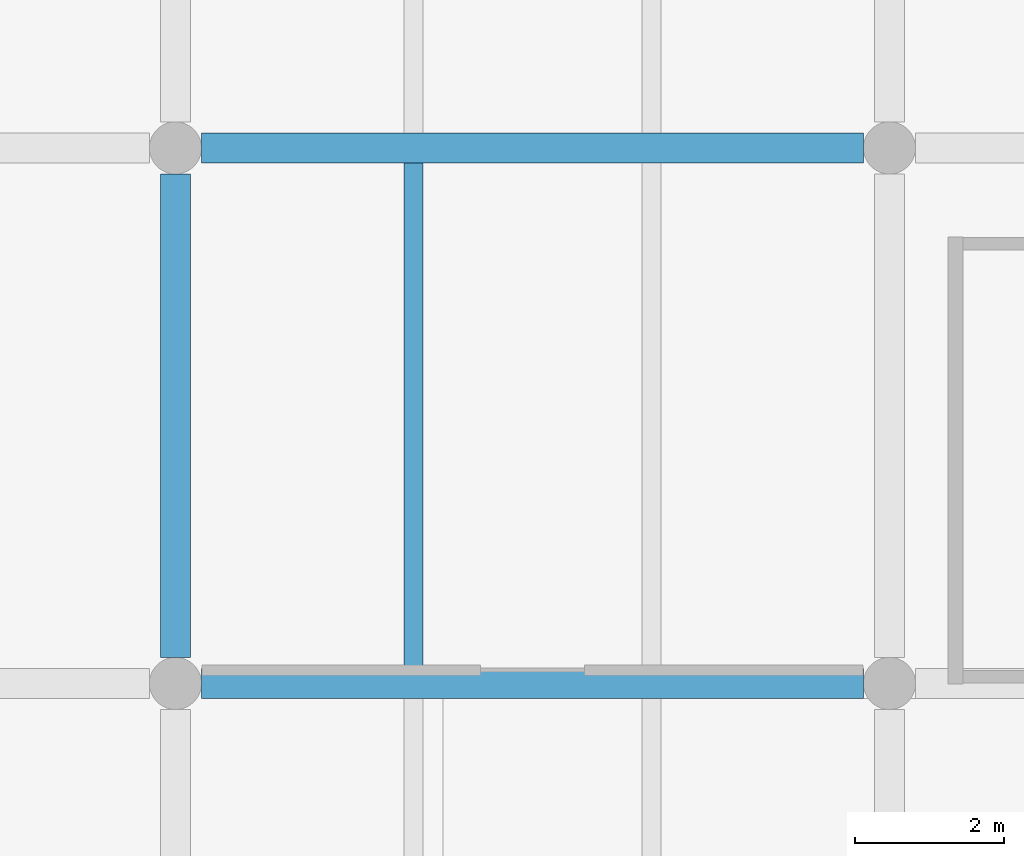
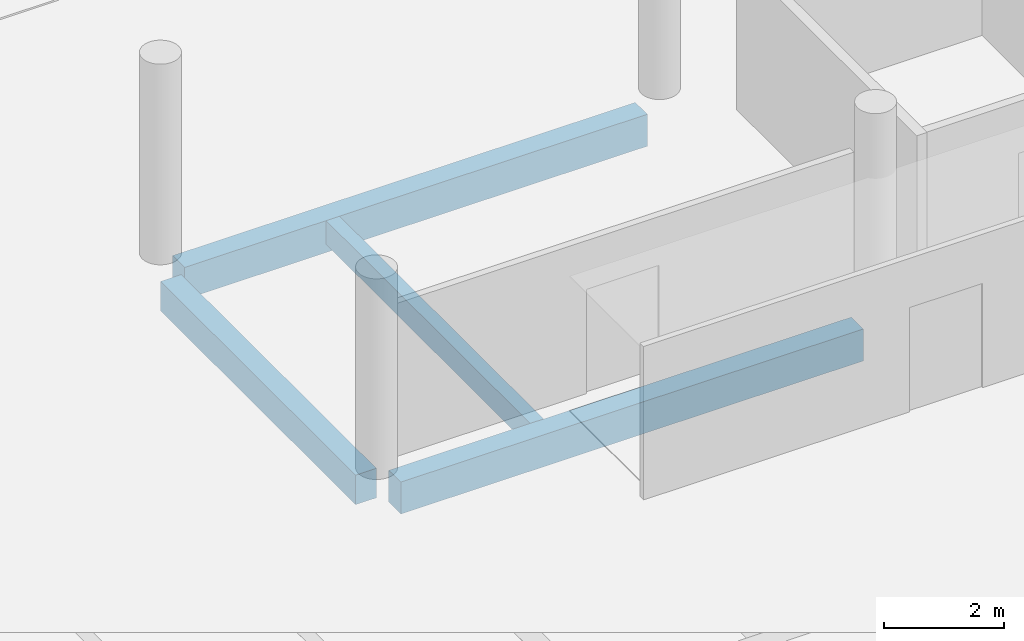
# One storey, part 40 of 180: 4 beams.
"""IFC4 building model written with IfcOpenShell, lengths in metres."""

from ifc_helpers import new_model, si_unit, direction, frame, origin, origin_2d, place, context, subcontext, project, spatial, rectangle, extrude, material, material_profile, profile_set, type_object, element, save


model = new_model("IFC4")

# Units and contexts
model_context = context("Model", 3, precision=1e-05, world=origin(), true_north=direction((0.0, 1.0)))
body_context = subcontext(model_context, "Body", "Model", "MODEL_VIEW")
ifc_project = project(units=[si_unit("LENGTHUNIT", "METRE"), si_unit("AREAUNIT", "SQUARE_METRE"), si_unit("VOLUMEUNIT", "CUBIC_METRE"), si_unit("PLANEANGLEUNIT", "RADIAN"), si_unit("MASSUNIT", "GRAM", prefix="KILO")], contexts=[model_context])

# Site, building, storey
site_placement = place(None, origin())
site = spatial("IfcSite", under=ifc_project, at=site_placement, CompositionType="ELEMENT")
building_placement = place(site_placement, origin())
building = spatial("IfcBuilding", under=site, at=building_placement, Name="Asteropetra Specialist Clinic", CompositionType="ELEMENT")
storey_placement = place(building_placement, frame((0.0, 0.0, 4.419921875)))
storey = spatial("IfcBuildingStorey", under=building, at=storey_placement, Name="L01", CompositionType="ELEMENT", Elevation=4.419921875)

# Beams
ifc_material_1 = material(Name="Concrete C35/45", Category="concrete")
ifc_material_profile_1 = material_profile(ifc_material_1, rectangle(XDim=0.39990234375, YDim=0.60009765625, at=origin_2d()), Name="RCB 400x600")
ifc_profile_set_1 = profile_set([ifc_material_profile_1], Name="Concrete C35/45")
beam_type_1 = type_object("IfcBeamType", Name="BM-RC400x600", PredefinedType="BEAM", material=ifc_profile_set_1)
beam_1_placement = place(storey_placement, frame((9.60009765625, 48.35009765625, -0.599853515625), z_axis=(0.0, 1.0, 0.0), x_axis=(-1.0, 0.0, 0.0)))
element("IfcBeam", 1, at=beam_1_placement, inside=storey, type_object=beam_type_1, Name="Beam BBM08-0365", PredefinedType="BEAM", context=body_context, shape_type="SweptSolid", body=[
    extrude(rectangle(XDim=0.39990234375, YDim=0.60009765625, at=origin_2d()), origin(), (0.0, 0.0, 1.0), 6.5),
])
ifc_material_2 = material(Name="Concrete C35/45", Category="concrete")
ifc_material_profile_2 = material_profile(ifc_material_2, rectangle(XDim=0.39990234375, YDim=0.64990234375, at=origin_2d()), Name="RCB 400x650")
ifc_profile_set_2 = profile_set([ifc_material_profile_2], Name="Concrete C35/45")
beam_type_2 = type_object("IfcBeamType", Name="BM-RC400x650", PredefinedType="BEAM", material=ifc_profile_set_2)
for number, where, z_axis, x_axis, name in (
    (2, (9.949951171875, 48.0, -0.625), (1.0, 0.0, 0.0), (0.0, 1.0, 0.0), "Beam BBM07-0320"),
    (3, (9.949951171875, 55.199951171875, -0.625), (1.0, 0.0, 0.0), (0.0, 1.0, 0.0), "Beam BBM07-0325"),
):
    element("IfcBeam", number, at=place(storey_placement, frame(where, z_axis=z_axis, x_axis=x_axis)), inside=storey, type_object=beam_type_2, Name=name, PredefinedType="BEAM", context=body_context, shape_type="SweptSolid", body=[
        extrude(rectangle(XDim=0.39990234375, YDim=0.64990234375, at=origin_2d()), origin(), (0.0, 0.0, 1.0), 8.900146484375),
    ])
ifc_material_3 = material(Name="Concrete C35/45", Category="concrete")
ifc_material_profile_3 = material_profile(ifc_material_3, rectangle(XDim=0.260009765625, YDim=0.47998046875, at=origin_2d()), Name="RCJ 260x480")
ifc_profile_set_3 = profile_set([ifc_material_profile_3], Name="Concrete C35/45")
beam_type_3 = type_object("IfcBeamType", Name="JST-RC260x480", PredefinedType="JOIST", material=ifc_profile_set_3)
beam_2_placement = place(storey_placement, frame((12.800048828125, 48.199951171875, -0.5400390625), z_axis=(0.0, 1.0, 0.0), x_axis=(-1.0, 0.0, 0.0)))
element("IfcBeam", 4, at=beam_2_placement, inside=storey, type_object=beam_type_3, Name="Joist JJST02-0372", PredefinedType="JOIST", context=body_context, shape_type="SweptSolid", body=[
    extrude(rectangle(XDim=0.260009765625, YDim=0.47998046875, at=origin_2d()), origin(), (0.0, 0.0, 1.0), 6.800048828125),
])

save(model, "model.ifc")
